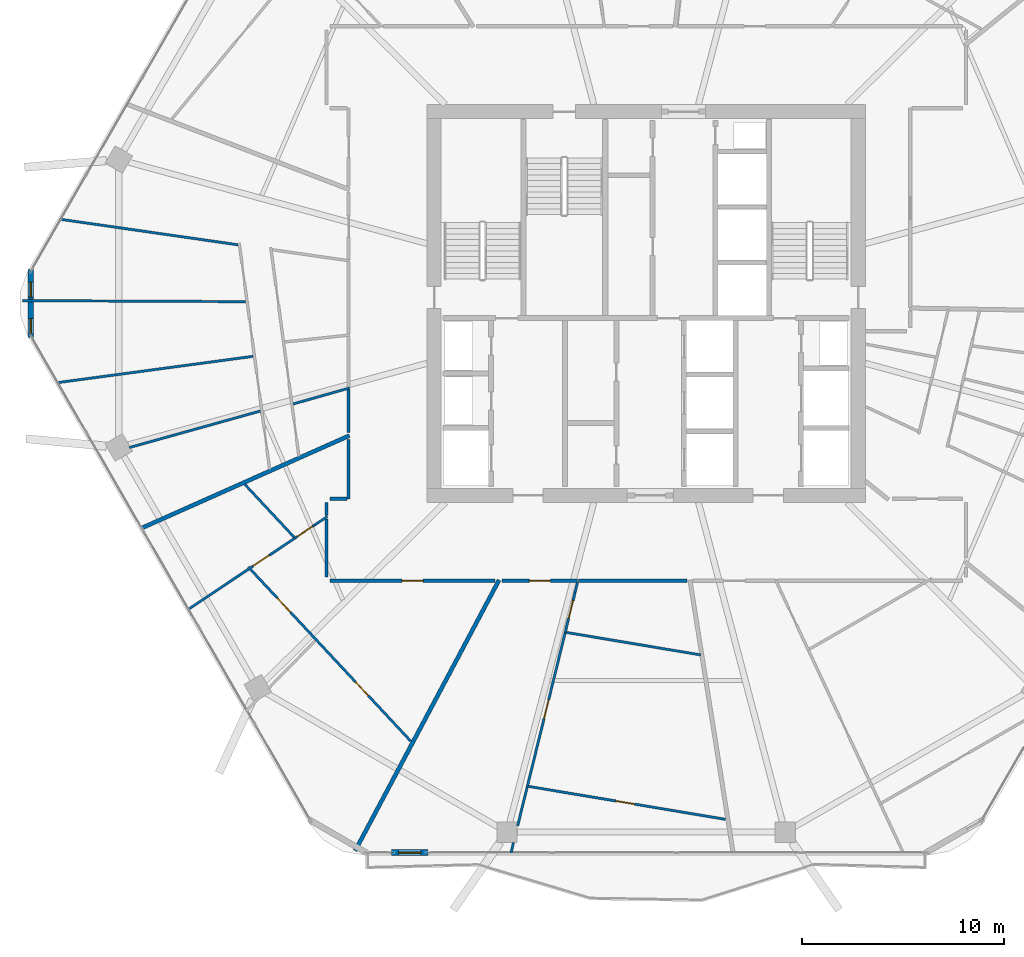
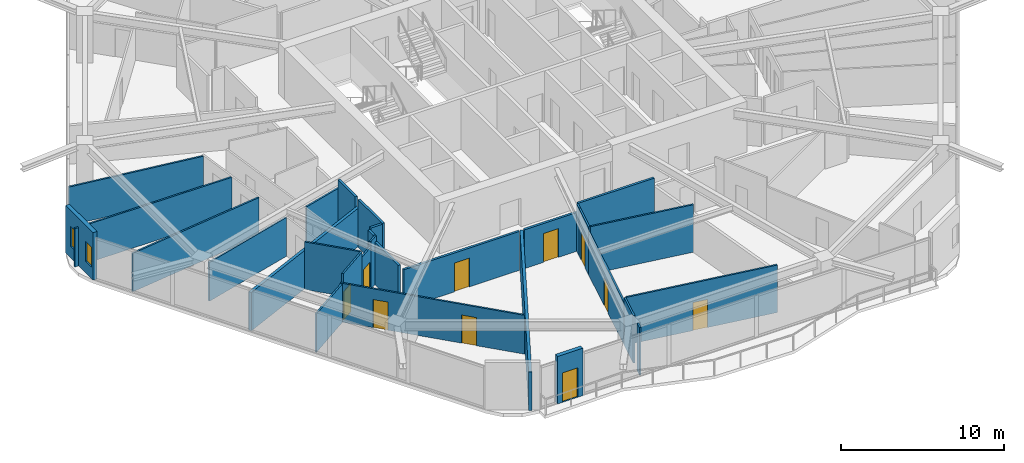
# One storey, part 19 of 27: 30 walls, 10 doors, 2 windows, 12 openings.
"""IFC4 building model written with IfcOpenShell, lengths in metres."""

from ifc_helpers import new_model, si_unit, direction, frame, frame_2d, origin, place, context, subcontext, project, spatial, rectangle, extrude, material, layer, layer_set, type_object, element, fill, save


model = new_model("IFC4")

# Units and contexts
model_context = context("Model", 3, precision=1e-05, world=origin(), true_north=direction((0.0, 1.0)))
body_context = subcontext(model_context, "Body", "Model", "MODEL_VIEW")
ifc_project = project(units=[si_unit("LENGTHUNIT", "METRE"), si_unit("AREAUNIT", "SQUARE_METRE"), si_unit("VOLUMEUNIT", "CUBIC_METRE"), si_unit("PLANEANGLEUNIT", "RADIAN"), si_unit("MASSUNIT", "GRAM", prefix="KILO")], contexts=[model_context])

# Site, building, storey
site_placement = place(None, origin())
site = spatial("IfcSite", under=ifc_project, at=site_placement, CompositionType="ELEMENT")
building_placement = place(site_placement, origin())
building = spatial("IfcBuilding", under=site, at=building_placement, Name="Zuhravey Tower", CompositionType="ELEMENT")
storey_placement = place(building_placement, frame((0.0, 0.0, 173.199951171875)))
storey = spatial("IfcBuildingStorey", under=building, at=storey_placement, Name="L43", CompositionType="ELEMENT", Elevation=173.199951171875)

# Wall, opening, door
ifc_material_1 = material(Name="Gypsum fire-rated stud partition")
ifc_layer_1 = layer(ifc_material_1, 0.159912109375)
ifc_layer_set_1 = layer_set([ifc_layer_1], Name="Gypsum fire-rated stud partition")
wall_type_1 = type_object("IfcWallType", Name="Corridor Fire Partition 160", PredefinedType="PARTITIONING", material=ifc_layer_set_1)
wall_1_placement = place(storey_placement, frame((20.35009765625, 18.27001953125, 0.0), z_axis=(0.0, 0.0, 1.0), x_axis=(1.0, 0.0, 0.0)))
wall_1 = element("IfcWall", 1, at=wall_1_placement, inside=storey, type_object=wall_type_1, Name="L43 IW16 Partition 042", PredefinedType="PARTITIONING", context=body_context, shape_type="SweptSolid", body=[
    extrude(rectangle(XDim=8.17236328125, YDim=0.159912109375, at=frame_2d((4.086181640625, 0.0))), origin(), (0.0, 0.0, 1.0), 2.900146484375),
])
opening_1_placement = place(wall_1_placement, frame((3.561279296875, 0.0, 0.0)))
opening_1 = element("IfcOpeningElement", 2, at=opening_1_placement, cuts=wall_1, Name="Opening APD1", PredefinedType="OPENING", context=body_context, shape_type="SweptSolid", body=[
    extrude(rectangle(XDim=1.050048828125, YDim=2.14990234375, at=frame_2d((0.52490234375, 1.074951171875))), frame((0.0, 0.092041015625, 0.0), z_axis=(0.0, -1.0, 0.0), x_axis=(1.0, 0.0, 0.0)), (0.0, 0.0, 1.0), 0.183837890625),
])
ifc_material_2 = material(Name="Solid-core oak fire-rated leaf")
door_type_1 = type_object("IfcDoorType", Name="Apartment Entrance Fire Door 1050x2150", OperationType="NOTDEFINED", PredefinedType="DOOR", material=ifc_material_2)
door_1_placement = place(opening_1_placement, frame((1.050048828125, 0.0, 0.0), z_axis=(0.0, 0.0, 1.0), x_axis=(-1.0, 0.0, 0.0)))
door_1 = element("IfcDoor", 3, at=door_1_placement, inside=storey, type_object=door_type_1, Name="L43 Door 042.1", OperationType="SINGLE_SWING_RIGHT", OverallHeight=2.14990234375, OverallWidth=1.050048828125, PredefinedType="DOOR", context=body_context, shape_type="SweptSolid", body=[
    extrude(rectangle(XDim=1.050048828125, YDim=2.14990234375, at=frame_2d((0.52490234375, 1.074951171875))), frame((0.0, 0.02490234375, 0.0), z_axis=(0.0, -1.0, 0.0), x_axis=(1.0, 0.0, 0.0)), (0.0, 0.0, 1.0), 0.050048828125),
])
fill(opening_1, door_1)

wall_2_placement = place(storey_placement, frame((28.875244140625, 18.27001953125, 0.0), z_axis=(0.0, 0.0, 1.0), x_axis=(1.0, 0.0, 0.0)))
wall_2 = element("IfcWall", 4, at=wall_2_placement, inside=storey, type_object=wall_type_1, Name="L43 IW16 Partition 046", PredefinedType="PARTITIONING", context=body_context, shape_type="SweptSolid", body=[
    extrude(rectangle(XDim=3.7265625, YDim=0.159912109375, at=frame_2d((1.86328125, 0.0))), origin(), (0.0, 0.0, 1.0), 2.900146484375),
])
opening_2_placement = place(wall_2_placement, frame((1.33837890625, 0.0, 0.0)))
opening_2 = element("IfcOpeningElement", 5, at=opening_2_placement, cuts=wall_2, Name="Opening APD1", PredefinedType="OPENING", context=body_context, shape_type="SweptSolid", body=[
    extrude(rectangle(XDim=1.050048828125, YDim=2.14990234375, at=frame_2d((0.52490234375, 1.074951171875))), frame((0.0, 0.092041015625, 0.0), z_axis=(0.0, -1.0, 0.0), x_axis=(1.0, 0.0, 0.0)), (0.0, 0.0, 1.0), 0.183837890625),
])
door_2_placement = place(opening_2_placement, frame((1.050048828125, 0.0, 0.0), z_axis=(0.0, 0.0, 1.0), x_axis=(-1.0, 0.0, 0.0)))
door_2 = element("IfcDoor", 6, at=door_2_placement, inside=storey, type_object=door_type_1, Name="L43 Door 046.1", OperationType="SINGLE_SWING_RIGHT", OverallHeight=2.14990234375, OverallWidth=1.050048828125, PredefinedType="DOOR", context=body_context, shape_type="SweptSolid", body=[
    extrude(rectangle(XDim=1.050048828125, YDim=2.14990234375, at=frame_2d((0.52490234375, 1.074951171875))), frame((0.0, 0.02490234375, 0.0), z_axis=(0.0, -1.0, 0.0), x_axis=(1.0, 0.0, 0.0)), (0.0, 0.0, 1.0), 0.050048828125),
])
fill(opening_2, door_2)

# Walls
wall_3_placement = place(storey_placement, frame((21.27001953125, 27.734375, 0.0), z_axis=(0.0, 0.0, 1.0), x_axis=(0.0, -1.0, 0.0)))
element("IfcWall", 7, at=wall_3_placement, inside=storey, type_object=wall_type_1, Name="L43 IW16 Partition 113", PredefinedType="PARTITIONING", context=body_context, shape_type="SweptSolid", body=[
    extrude(rectangle(XDim=2.117431640625, YDim=0.159912109375, at=frame_2d((1.05859375, 0.0))), origin(), (0.0, 0.0, 1.0), 3.550048828125),
])
wall_4_placement = place(storey_placement, frame((20.169921875, 21.341064453125, 0.0), z_axis=(0.0, 0.0, 1.0), x_axis=(0.0, -1.0, 0.0)))
element("IfcWall", 8, at=wall_4_placement, inside=storey, type_object=wall_type_1, Name="L43 IW16 Partition 114", PredefinedType="PARTITIONING", context=body_context, shape_type="SweptSolid", body=[
    extrude(rectangle(XDim=2.89111328125, YDim=0.159912109375, at=frame_2d((1.445556640625, 0.0))), origin(), (0.0, 0.0, 1.0), 3.150146484375),
])
wall_5_placement = place(storey_placement, frame((21.27001953125, 25.26513671875, 0.0), z_axis=(0.0, 0.0, 1.0), x_axis=(0.0, -1.0, 0.0)))
element("IfcWall", 9, at=wall_5_placement, inside=storey, type_object=wall_type_1, Name="L43 IW16 Partition 115", PredefinedType="PARTITIONING", context=body_context, shape_type="SweptSolid", body=[
    extrude(rectangle(XDim=2.93505859375, YDim=0.159912109375, at=frame_2d((1.467529296875, 0.0))), origin(), (0.0, 0.0, 1.0), 3.550048828125),
])
wall_6_placement = place(storey_placement, frame((21.181884765625, 22.330078125, 0.0), z_axis=(0.0, 0.0, 1.0), x_axis=(-1.0, 0.0, 0.0)))
element("IfcWall", 10, at=wall_6_placement, inside=storey, type_object=wall_type_1, Name="L43 IW16 Partition 116", PredefinedType="PARTITIONING", context=body_context, shape_type="SweptSolid", body=[
    extrude(rectangle(XDim=0.831787109375, YDim=0.159912109375, at=frame_2d((0.416015625, 0.0))), origin(), (0.0, 0.0, 1.0), 3.550048828125),
])
wall_7_placement = place(storey_placement, frame((20.169921875, 22.14990234375, 0.0), z_axis=(0.0, 0.0, 1.0), x_axis=(0.0, -1.0, 0.0)))
element("IfcWall", 11, at=wall_7_placement, inside=storey, type_object=wall_type_1, Name="L43 IW16 Partition 117", PredefinedType="PARTITIONING", context=body_context, shape_type="SweptSolid", body=[
    extrude(rectangle(XDim=0.6455078125, YDim=0.159912109375, at=frame_2d((0.32275390625, 0.0))), origin(), (0.0, 0.0, 1.0), 3.550048828125),
])
wall_8_placement = place(storey_placement, frame((32.64306640625, 18.27001953125, 0.0), z_axis=(0.0, 0.0, 1.0), x_axis=(1.0, 0.0, 0.0)))
element("IfcWall", 12, at=wall_8_placement, inside=storey, type_object=wall_type_1, Name="L43 IW16 Partition 118", PredefinedType="PARTITIONING", context=body_context, shape_type="SweptSolid", body=[
    extrude(rectangle(XDim=5.388671875, YDim=0.159912109375, at=frame_2d((2.6943359375, 0.0))), origin(), (0.0, 0.0, 1.0), 3.550048828125),
])

# Wall, opening, door
ifc_material_3 = material(Name="Precast concrete C40/50", Category="concrete")
ifc_layer_2 = layer(ifc_material_3, 0.280029296875)
ifc_layer_set_2 = layer_set([ifc_layer_2], Name="Precast concrete C40/50")
wall_type_2 = type_object("IfcWallType", Name="Crown Architectural Wall 280", PredefinedType="SOLIDWALL", material=ifc_layer_set_2)
wall_9_placement = place(storey_placement, frame((25.193115234375, 4.81689453125, 0.0), z_axis=(0.0, 0.0, 1.0), x_axis=(-1.0, 0.0, 0.0)))
wall_9 = element("IfcWall", 13, at=wall_9_placement, inside=storey, type_object=wall_type_2, Name="L43 Face 5 Facade Pier EW28-1", PredefinedType="SOLIDWALL", context=body_context, shape_type="SweptSolid", body=[
    extrude(rectangle(XDim=1.789794921875, YDim=0.280029296875, at=frame_2d((0.89501953125, 0.0))), origin(), (0.0, 0.0, 1.0), 3.550048828125),
])
opening_3_placement = place(wall_9_placement, frame((0.344970703125, 0.0, 0.0)))
opening_3 = element("IfcOpeningElement", 14, at=opening_3_placement, cuts=wall_9, Name="Opening BLD1", PredefinedType="OPENING", context=body_context, shape_type="SweptSolid", body=[
    extrude(rectangle(XDim=1.10009765625, YDim=2.199951171875, at=frame_2d((0.550048828125, 1.10009765625))), frame((0.0, 0.152099609375, 0.0), z_axis=(0.0, -1.0, 0.0), x_axis=(1.0, 0.0, 0.0)), (0.0, 0.0, 1.0), 0.303955078125),
])
ifc_material_4 = material(Name="Thermally broken aluminium and low-E glass", Category="aluminium")
door_type_2 = type_object("IfcDoorType", Name="Balcony & Sky-Tray Glazed Door 1100x2200", OperationType="NOTDEFINED", PredefinedType="DOOR", material=ifc_material_4)
door_3_placement = place(opening_3_placement, frame((1.10009765625, 0.0, 0.0), z_axis=(0.0, 0.0, 1.0), x_axis=(-1.0, 0.0, 0.0)))
door_3 = element("IfcDoor", 15, at=door_3_placement, inside=storey, type_object=door_type_2, Name="L43 Face 5 Wave Balcony Door", OperationType="SINGLE_SWING_LEFT", OverallHeight=2.199951171875, OverallWidth=1.10009765625, PredefinedType="DOOR", context=body_context, shape_type="SweptSolid", body=[
    extrude(rectangle(XDim=1.10009765625, YDim=2.199951171875, at=frame_2d((0.550048828125, 1.10009765625))), frame((0.0, 0.02490234375, 0.0), z_axis=(0.0, -1.0, 0.0), x_axis=(1.0, 0.0, 0.0)), (0.0, 0.0, 1.0), 0.050048828125),
])
fill(opening_3, door_3)

# Wall, openings, windows
wall_10_placement = place(storey_placement, frame((5.5283203125, 30.3173828125, 0.0), z_axis=(0.0, 0.0, 1.0), x_axis=(0.0, 1.0, 0.0)))
wall_10 = element("IfcWall", 16, at=wall_10_placement, inside=storey, type_object=wall_type_2, Name="L43 Rounded Corner Closure Wall EW28-06", PredefinedType="SOLIDWALL", context=body_context, shape_type="SweptSolid", body=[
    extrude(rectangle(XDim=3.365234375, YDim=0.280029296875, at=frame_2d((1.6826171875, 0.0))), origin(), (0.0, 0.0, 1.0), 3.550048828125),
])
opening_4_placement = place(wall_10_placement, frame((1.994384765625, 0.0, 0.85009765625)))
opening_4 = element("IfcOpeningElement", 17, at=opening_4_placement, cuts=wall_10, Name="Opening WN5", PredefinedType="OPENING", context=body_context, shape_type="SweptSolid", body=[
    extrude(rectangle(XDim=0.75, YDim=1.5, at=frame_2d((0.375, 0.75))), frame((0.0, 0.152099609375, 0.0), z_axis=(0.0, -1.0, 0.0), x_axis=(1.0, 0.0, 0.0)), (0.0, 0.0, 1.0), 0.303955078125),
])
opening_5_placement = place(wall_10_placement, frame((0.17919921875, 0.0, 0.85009765625)))
opening_5 = element("IfcOpeningElement", 18, at=opening_5_placement, cuts=wall_10, Name="Opening WN5", PredefinedType="OPENING", context=body_context, shape_type="SweptSolid", body=[
    extrude(rectangle(XDim=0.75, YDim=1.5, at=frame_2d((0.375, 0.75))), frame((0.0, 0.152099609375, 0.0), z_axis=(0.0, -1.0, 0.0), x_axis=(1.0, 0.0, 0.0)), (0.0, 0.0, 1.0), 0.303955078125),
])
ifc_material_5 = material(Name="Thermally broken aluminium and triple low-E glass", Category="aluminium")
window_type = type_object("IfcWindowType", Name="Residential Corner Casement Window 750x1500", PartitioningType="SINGLE_PANEL", PredefinedType="WINDOW", material=ifc_material_5)
window_1_placement = place(opening_4_placement, origin())
window_1 = element("IfcWindow", 19, at=window_1_placement, inside=storey, type_object=window_type, Name="L43 Corner Casement Window WN5-06.1", OverallHeight=1.5, OverallWidth=0.75, PartitioningType="SINGLE_PANEL", PredefinedType="WINDOW", context=body_context, shape_type="SweptSolid", body=[
    extrude(rectangle(XDim=0.75, YDim=1.5, at=frame_2d((0.375, 0.75))), frame((0.0, 0.030029296875, 0.0), z_axis=(0.0, -1.0, 0.0), x_axis=(1.0, 0.0, 0.0)), (0.0, 0.0, 1.0), 0.06005859375),
])
fill(opening_4, window_1)
window_2_placement = place(opening_5_placement, origin())
window_2 = element("IfcWindow", 20, at=window_2_placement, inside=storey, type_object=window_type, Name="L43 Corner Casement Window WN5-06.2", OverallHeight=1.5, OverallWidth=0.75, PartitioningType="SINGLE_PANEL", PredefinedType="WINDOW", context=body_context, shape_type="SweptSolid", body=[
    extrude(rectangle(XDim=0.75, YDim=1.5, at=frame_2d((0.375, 0.75))), frame((0.0, 0.030029296875, 0.0), z_axis=(0.0, -1.0, 0.0), x_axis=(1.0, 0.0, 0.0)), (0.0, 0.0, 1.0), 0.06005859375),
])
fill(opening_5, window_2)

# Walls
ifc_material_6 = material(Name="Gypsum double-stud party assembly")
ifc_layer_3 = layer(ifc_material_6, 0.199951171875)
ifc_layer_set_3 = layer_set([ifc_layer_3], Name="Gypsum double-stud party assembly")
wall_type_3 = type_object("IfcWallType", Name="Inter-Tenancy Party Wall 200", PredefinedType="PARTITIONING", material=ifc_layer_set_3)
wall_11_placement = place(storey_placement, frame((21.31005859375, 25.459716796875, 0.0), z_axis=(0.0, 0.0, 1.0), x_axis=(-0.913543837416, -0.406740282146, 0.0)))
element("IfcWall", 21, at=wall_11_placement, inside=storey, type_object=wall_type_3, Name="L43 IW20 Partition 081", PredefinedType="PARTITIONING", context=body_context, shape_type="SweptSolid", body=[
    extrude(rectangle(XDim=11.252685546875, YDim=0.199951171875, at=frame_2d((5.62646484375, 0.0))), origin(), (0.0, 0.0, 1.0), 2.8701171875),
])
wall_12_placement = place(storey_placement, frame((28.720947265625, 18.31005859375, 0.0), z_axis=(0.0, 0.0, 1.0), x_axis=(-0.469463317487, -0.882951976913, 0.0)))
element("IfcWall", 22, at=wall_12_placement, inside=storey, type_object=wall_type_3, Name="L43 IW20 Partition 086", PredefinedType="PARTITIONING", context=body_context, shape_type="SweptSolid", body=[
    extrude(rectangle(XDim=15.178466796875, YDim=0.199951171875, at=frame_2d((7.58935546875, 0.0))), origin(), (0.0, 0.0, 1.0), 2.8701171875),
])

# Wall, openings, doors
ifc_material_7 = material(Name="Gypsum metal-stud partition")
ifc_layer_4 = layer(ifc_material_7, 0.1201171875)
ifc_layer_set_4 = layer_set([ifc_layer_4], Name="Gypsum metal-stud partition")
wall_type_4 = type_object("IfcWallType", Name="Unit Internal Partition 120", PredefinedType="PARTITIONING", material=ifc_layer_set_4)
wall_13_placement = place(storey_placement, frame((16.301513671875, 18.9580078125, 0.0), z_axis=(0.0, 0.0, 1.0), x_axis=(0.681998933698, -0.731353166695, 0.0)))
wall_13 = element("IfcWall", 23, at=wall_13_placement, inside=storey, type_object=wall_type_4, Name="L43 IW12 Partition 038", PredefinedType="PARTITIONING", context=body_context, shape_type="SweptSolid", body=[
    extrude(rectangle(XDim=11.7978515625, YDim=0.1201171875, at=frame_2d((5.89892578125, 0.0))), origin(), (0.0, 0.0, 1.0), 2.900146484375),
])
opening_6_placement = place(wall_13_placement, frame((2.1103515625, 0.0, 0.0)))
opening_6 = element("IfcOpeningElement", 24, at=opening_6_placement, cuts=wall_13, Name="Opening IND1", PredefinedType="OPENING", context=body_context, shape_type="SweptSolid", body=[
    extrude(rectangle(XDim=0.949951171875, YDim=2.10009765625, at=frame_2d((0.47509765625, 1.050048828125))), frame((0.0, 0.072021484375, 0.0), z_axis=(0.0, -1.0, 0.0), x_axis=(1.0, 0.0, 0.0)), (0.0, 0.0, 1.0), 0.14404296875),
])
opening_7_placement = place(wall_13_placement, frame((7.769287109375, 0.0, 0.0)))
opening_7 = element("IfcOpeningElement", 25, at=opening_7_placement, cuts=wall_13, Name="Opening IND1", PredefinedType="OPENING", context=body_context, shape_type="SweptSolid", body=[
    extrude(rectangle(XDim=0.949951171875, YDim=2.10009765625, at=frame_2d((0.47509765625, 1.050048828125))), frame((0.0, 0.072021484375, 0.0), z_axis=(0.0, -1.0, 0.0), x_axis=(1.0, 0.0, 0.0)), (0.0, 0.0, 1.0), 0.14404296875),
])
ifc_material_8 = material(Name="Painted engineered timber leaf", Category="wood")
door_type_3 = type_object("IfcDoorType", Name="Internal Room & Bedroom Door 950x2100", OperationType="NOTDEFINED", PredefinedType="DOOR", material=ifc_material_8)
door_4_placement = place(opening_6_placement, frame((0.949951171875, 0.0, 0.0), z_axis=(0.0, 0.0, 1.0), x_axis=(-1.0, 0.0, 0.0)))
door_4 = element("IfcDoor", 26, at=door_4_placement, inside=storey, type_object=door_type_3, Name="Apartment L43-05 Family Study Door", OperationType="SINGLE_SWING_RIGHT", OverallHeight=2.10009765625, OverallWidth=0.949951171875, PredefinedType="DOOR", context=body_context, shape_type="SweptSolid", body=[
    extrude(rectangle(XDim=0.949951171875, YDim=2.10009765625, at=frame_2d((0.47509765625, 1.050048828125))), frame((0.0, 0.02490234375, 0.0), z_axis=(0.0, -1.0, 0.0), x_axis=(1.0, 0.0, 0.0)), (0.0, 0.0, 1.0), 0.050048828125),
])
fill(opening_6, door_4)
door_5_placement = place(opening_7_placement, frame((0.949951171875, 0.0, 0.0), z_axis=(0.0, 0.0, 1.0), x_axis=(-1.0, 0.0, 0.0)))
door_5 = element("IfcDoor", 27, at=door_5_placement, inside=storey, type_object=door_type_3, Name="Apartment L43-05 Dining Room Door", OperationType="SINGLE_SWING_LEFT", OverallHeight=2.10009765625, OverallWidth=0.949951171875, PredefinedType="DOOR", context=body_context, shape_type="SweptSolid", body=[
    extrude(rectangle(XDim=0.949951171875, YDim=2.10009765625, at=frame_2d((0.47509765625, 1.050048828125))), frame((0.0, 0.02490234375, 0.0), z_axis=(0.0, -1.0, 0.0), x_axis=(1.0, 0.0, 0.0)), (0.0, 0.0, 1.0), 0.050048828125),
])
fill(opening_7, door_5)

# Wall, opening, door
wall_14_placement = place(storey_placement, frame((19.60009765625, 21.0419921875, 0.0), z_axis=(0.0, 0.0, 1.0), x_axis=(-0.831460345356, -0.555584101735, 0.0)))
wall_14 = element("IfcWall", 28, at=wall_14_placement, inside=storey, type_object=wall_type_4, Name="L43 IW12 Partition 039", PredefinedType="PARTITIONING", context=body_context, shape_type="SweptSolid", body=[
    extrude(rectangle(XDim=1.210693359375, YDim=0.1201171875, at=frame_2d((0.60546875, 0.0))), origin(), (0.0, 0.0, 1.0), 3.150146484375),
])
opening_8_placement = place(wall_14_placement, frame((0.139892578125, 0.0, 0.0)))
opening_8 = element("IfcOpeningElement", 29, at=opening_8_placement, cuts=wall_14, Name="Opening WCD1", PredefinedType="OPENING", context=body_context, shape_type="SweptSolid", body=[
    extrude(rectangle(XDim=0.89990234375, YDim=2.10009765625, at=frame_2d((0.449951171875, 1.050048828125))), frame((0.0, 0.072021484375, 0.0), z_axis=(0.0, -1.0, 0.0), x_axis=(1.0, 0.0, 0.0)), (0.0, 0.0, 1.0), 0.14404296875),
])
ifc_material_9 = material(Name="Moisture-resistant timber leaf", Category="wood")
door_type_4 = type_object("IfcDoorType", Name="Bathroom & WC Internal Door 900x2100", OperationType="NOTDEFINED", PredefinedType="DOOR", material=ifc_material_9)
door_6_placement = place(opening_8_placement, frame((0.89990234375, 0.0, 0.0), z_axis=(0.0, 0.0, 1.0), x_axis=(-1.0, 0.0, 0.0)))
door_6 = element("IfcDoor", 30, at=door_6_placement, inside=storey, type_object=door_type_4, Name="Apartment L43-05 Bathroom Door", OperationType="SINGLE_SWING_RIGHT", OverallHeight=2.10009765625, OverallWidth=0.89990234375, PredefinedType="DOOR", context=body_context, shape_type="SweptSolid", body=[
    extrude(rectangle(XDim=0.89990234375, YDim=2.10009765625, at=frame_2d((0.449951171875, 1.050048828125))), frame((0.0, 0.02490234375, 0.0), z_axis=(0.0, -1.0, 0.0), x_axis=(1.0, 0.0, 0.0)), (0.0, 0.0, 1.0), 0.050048828125),
])
fill(opening_8, door_6)

wall_15_placement = place(storey_placement, frame((18.593505859375, 20.369384765625, 0.0), z_axis=(0.0, 0.0, 1.0), x_axis=(-0.831487480853, -0.555543489913, 0.0)))
wall_15 = element("IfcWall", 31, at=wall_15_placement, inside=storey, type_object=wall_type_4, Name="L43 IW12 Partition 040", PredefinedType="PARTITIONING", context=body_context, shape_type="SweptSolid", body=[
    extrude(rectangle(XDim=2.604736328125, YDim=0.1201171875, at=frame_2d((1.30224609375, 0.0))), origin(), (0.0, 0.0, 1.0), 3.550048828125),
])
opening_9_placement = place(wall_15_placement, frame((1.510498046875, 0.0, 0.0)))
opening_9 = element("IfcOpeningElement", 32, at=opening_9_placement, cuts=wall_15, Name="Opening IND1", PredefinedType="OPENING", context=body_context, shape_type="SweptSolid", body=[
    extrude(rectangle(XDim=0.949951171875, YDim=2.10009765625, at=frame_2d((0.47509765625, 1.050048828125))), frame((0.0, 0.072021484375, 0.0), z_axis=(0.0, -1.0, 0.0), x_axis=(1.0, 0.0, 0.0)), (0.0, 0.0, 1.0), 0.14404296875),
])
door_7_placement = place(opening_9_placement, frame((0.949951171875, 0.0, 0.0), z_axis=(0.0, 0.0, 1.0), x_axis=(-1.0, 0.0, 0.0)))
door_7 = element("IfcDoor", 33, at=door_7_placement, inside=storey, type_object=door_type_3, Name="Apartment L43-05 Bedroom 1 Door", OperationType="SINGLE_SWING_LEFT", OverallHeight=2.10009765625, OverallWidth=0.949951171875, PredefinedType="DOOR", context=body_context, shape_type="SweptSolid", body=[
    extrude(rectangle(XDim=0.949951171875, YDim=2.10009765625, at=frame_2d((0.47509765625, 1.050048828125))), frame((0.0, 0.02490234375, 0.0), z_axis=(0.0, -1.0, 0.0), x_axis=(1.0, 0.0, 0.0)), (0.0, 0.0, 1.0), 0.050048828125),
])
fill(opening_9, door_7)

# Wall
wall_16_placement = place(storey_placement, frame((16.313232421875, 18.845703125, 0.0), z_axis=(0.0, 0.0, 1.0), x_axis=(-0.831481603923, -0.555552285872, 0.0)))
element("IfcWall", 34, at=wall_16_placement, inside=storey, type_object=wall_type_4, Name="L43 IW12 Partition 041", PredefinedType="PARTITIONING", context=body_context, shape_type="SweptSolid", body=[
    extrude(rectangle(XDim=3.5693359375, YDim=0.1201171875, at=frame_2d((1.78466796875, 0.0))), origin(), (0.0, 0.0, 1.0), 2.8701171875),
])

# Wall, opening, door
wall_17_placement = place(storey_placement, frame((32.482421875, 17.699951171875, 0.0), z_axis=(0.0, 0.0, 1.0), x_axis=(-0.238993265464, -0.971021224826, 0.0)))
wall_17 = element("IfcWall", 35, at=wall_17_placement, inside=storey, type_object=wall_type_4, Name="L43 IW12 Partition 043", PredefinedType="PARTITIONING", context=body_context, shape_type="SweptSolid", body=[
    extrude(rectangle(XDim=2.060546875, YDim=0.1201171875, at=frame_2d((1.0302734375, 0.0))), origin(), (0.0, 0.0, 1.0), 3.550048828125),
])
opening_10_placement = place(wall_17_placement, frame((0.415283203125, 0.0, 0.0)))
opening_10 = element("IfcOpeningElement", 36, at=opening_10_placement, cuts=wall_17, Name="Opening WCD1", PredefinedType="OPENING", context=body_context, shape_type="SweptSolid", body=[
    extrude(rectangle(XDim=0.89990234375, YDim=2.10009765625, at=frame_2d((0.449951171875, 1.050048828125))), frame((0.0, 0.072021484375, 0.0), z_axis=(0.0, -1.0, 0.0), x_axis=(1.0, 0.0, 0.0)), (0.0, 0.0, 1.0), 0.14404296875),
])
door_8_placement = place(opening_10_placement, origin())
door_8 = element("IfcDoor", 37, at=door_8_placement, inside=storey, type_object=door_type_4, Name="Apartment L43-06 Bathroom Door", OperationType="SINGLE_SWING_LEFT", OverallHeight=2.10009765625, OverallWidth=0.89990234375, PredefinedType="DOOR", context=body_context, shape_type="SweptSolid", body=[
    extrude(rectangle(XDim=0.89990234375, YDim=2.10009765625, at=frame_2d((0.449951171875, 1.050048828125))), frame((0.0, 0.02490234375, 0.0), z_axis=(0.0, -1.0, 0.0), x_axis=(1.0, 0.0, 0.0)), (0.0, 0.0, 1.0), 0.050048828125),
])
fill(opening_10, door_8)

wall_18_placement = place(storey_placement, frame((31.989990234375, 15.69921875, 0.0), z_axis=(0.0, 0.0, 1.0), x_axis=(-0.238859295783, -0.971054188405, 0.0)))
wall_18 = element("IfcWall", 38, at=wall_18_placement, inside=storey, type_object=wall_type_4, Name="L43 IW12 Partition 044", PredefinedType="PARTITIONING", context=body_context, shape_type="SweptSolid", body=[
    extrude(rectangle(XDim=7.84765625, YDim=0.1201171875, at=frame_2d((3.923828125, 0.0))), origin(), (0.0, 0.0, 1.0), 3.150146484375),
])
opening_11_placement = place(wall_18_placement, frame((3.423828125, 0.0, 0.0)))
opening_11 = element("IfcOpeningElement", 39, at=opening_11_placement, cuts=wall_18, Name="Opening IND1", PredefinedType="OPENING", context=body_context, shape_type="SweptSolid", body=[
    extrude(rectangle(XDim=0.949951171875, YDim=2.10009765625, at=frame_2d((0.47509765625, 1.050048828125))), frame((0.0, 0.072021484375, 0.0), z_axis=(0.0, -1.0, 0.0), x_axis=(1.0, 0.0, 0.0)), (0.0, 0.0, 1.0), 0.14404296875),
])
door_9_placement = place(opening_11_placement, origin())
door_9 = element("IfcDoor", 40, at=door_9_placement, inside=storey, type_object=door_type_3, Name="Apartment L43-06 Home Office Door", OperationType="SINGLE_SWING_RIGHT", OverallHeight=2.10009765625, OverallWidth=0.949951171875, PredefinedType="DOOR", context=body_context, shape_type="SweptSolid", body=[
    extrude(rectangle(XDim=0.949951171875, YDim=2.10009765625, at=frame_2d((0.47509765625, 1.050048828125))), frame((0.0, 0.02490234375, 0.0), z_axis=(0.0, -1.0, 0.0), x_axis=(1.0, 0.0, 0.0)), (0.0, 0.0, 1.0), 0.050048828125),
])
fill(opening_11, door_9)

wall_19_placement = place(storey_placement, frame((30.188720703125, 8.091552734375, 0.0), z_axis=(0.0, 0.0, 1.0), x_axis=(0.986287356635, -0.165037117469, 0.0)))
wall_19 = element("IfcWall", 41, at=wall_19_placement, inside=storey, type_object=wall_type_4, Name="L43 IW12 Partition 045", PredefinedType="PARTITIONING", context=body_context, shape_type="SweptSolid", body=[
    extrude(rectangle(XDim=9.864013671875, YDim=0.1201171875, at=frame_2d((4.93212890625, 0.0))), origin(), (0.0, 0.0, 1.0), 3.550048828125),
])
opening_12_placement = place(wall_19_placement, frame((4.372802734375, 0.0, 0.0)))
opening_12 = element("IfcOpeningElement", 42, at=opening_12_placement, cuts=wall_19, Name="Opening IND1", PredefinedType="OPENING", context=body_context, shape_type="SweptSolid", body=[
    extrude(rectangle(XDim=0.949951171875, YDim=2.10009765625, at=frame_2d((0.47509765625, 1.050048828125))), frame((0.0, 0.072021484375, 0.0), z_axis=(0.0, -1.0, 0.0), x_axis=(1.0, 0.0, 0.0)), (0.0, 0.0, 1.0), 0.14404296875),
])
door_10_placement = place(opening_12_placement, frame((0.949951171875, 0.0, 0.0), z_axis=(0.0, 0.0, 1.0), x_axis=(-1.0, 0.0, 0.0)))
door_10 = element("IfcDoor", 43, at=door_10_placement, inside=storey, type_object=door_type_3, Name="Apartment L43-06 Bedroom 1 Door", OperationType="SINGLE_SWING_LEFT", OverallHeight=2.10009765625, OverallWidth=0.949951171875, PredefinedType="DOOR", context=body_context, shape_type="SweptSolid", body=[
    extrude(rectangle(XDim=0.949951171875, YDim=2.10009765625, at=frame_2d((0.47509765625, 1.050048828125))), frame((0.0, 0.02490234375, 0.0), z_axis=(0.0, -1.0, 0.0), x_axis=(1.0, 0.0, 0.0)), (0.0, 0.0, 1.0), 0.050048828125),
])
fill(opening_12, door_10)

# Walls
wall_20_placement = place(storey_placement, frame((21.320068359375, 27.819091796875, 0.0), z_axis=(0.0, 0.0, 1.0), x_axis=(-0.961771119413, -0.273854548737, 0.0)))
element("IfcWall", 44, at=wall_20_placement, inside=storey, type_object=wall_type_4, Name="L43 IW12 Partition 075", PredefinedType="PARTITIONING", context=body_context, shape_type="SweptSolid", body=[
    extrude(rectangle(XDim=2.90283203125, YDim=0.1201171875, at=frame_2d((1.451416015625, 0.0))), origin(), (0.0, 0.0, 1.0), 2.900146484375),
])
wall_21_placement = place(storey_placement, frame((16.17626953125, 32.08984375, 0.0), z_axis=(0.0, 0.0, 1.0), x_axis=(-0.999989631639, 0.004553747245, 0.0)))
element("IfcWall", 45, at=wall_21_placement, inside=storey, type_object=wall_type_4, Name="L43 IW12 Partition 076", PredefinedType="PARTITIONING", context=body_context, shape_type="SweptSolid", body=[
    extrude(rectangle(XDim=11.044189453125, YDim=0.1201171875, at=frame_2d((5.52197265625, 0.0))), origin(), (0.0, 0.0, 1.0), 2.8701171875),
])
wall_22_placement = place(storey_placement, frame((16.540283203125, 29.3828125, 0.0), z_axis=(0.0, 0.0, 1.0), x_axis=(-0.991077690838, -0.133285448281, 0.0)))
element("IfcWall", 46, at=wall_22_placement, inside=storey, type_object=wall_type_4, Name="L43 IW12 Partition 077", PredefinedType="PARTITIONING", context=body_context, shape_type="SweptSolid", body=[
    extrude(rectangle(XDim=9.764892578125, YDim=0.1201171875, at=frame_2d((4.88232421875, 0.0))), origin(), (0.0, 0.0, 1.0), 2.8701171875),
])
wall_23_placement = place(storey_placement, frame((16.904296875, 26.675537109375, 0.0), z_axis=(0.0, 0.0, 1.0), x_axis=(-0.963259527587, -0.26857230407, 0.0)))
element("IfcWall", 47, at=wall_23_placement, inside=storey, type_object=wall_type_4, Name="L43 IW12 Partition 078", PredefinedType="PARTITIONING", context=body_context, shape_type="SweptSolid", body=[
    extrude(rectangle(XDim=6.739501953125, YDim=0.1201171875, at=frame_2d((3.36962890625, 0.0))), origin(), (0.0, 0.0, 1.0), 2.900146484375),
])
wall_24_placement = place(storey_placement, frame((15.7978515625, 34.904052734375, 0.0), z_axis=(0.0, 0.0, 1.0), x_axis=(-0.989827080259, 0.142275616979, 0.0)))
element("IfcWall", 48, at=wall_24_placement, inside=storey, type_object=wall_type_4, Name="L43 IW12 Partition 080", PredefinedType="PARTITIONING", context=body_context, shape_type="SweptSolid", body=[
    extrude(rectangle(XDim=8.8818359375, YDim=0.1201171875, at=frame_2d((4.44091796875, 0.0))), origin(), (0.0, 0.0, 1.0), 2.8701171875),
])
wall_25_placement = place(storey_placement, frame((20.215087890625, 21.452880859375, 0.0), z_axis=(0.0, 0.0, 1.0), x_axis=(-0.831491262241, -0.555537830231, 0.0)))
element("IfcWall", 49, at=wall_25_placement, inside=storey, type_object=wall_type_4, Name="L43 IW12 Partition 084", PredefinedType="PARTITIONING", context=body_context, shape_type="SweptSolid", body=[
    extrude(rectangle(XDim=0.739501953125, YDim=0.1201171875, at=frame_2d((0.36962890625, 0.0))), origin(), (0.0, 0.0, 1.0), 3.550048828125),
])
wall_26_placement = place(storey_placement, frame((16.138427734375, 23.038818359375, 0.0), z_axis=(0.0, 0.0, 1.0), x_axis=(0.682000707563, -0.731351512532, 0.0)))
element("IfcWall", 50, at=wall_26_placement, inside=storey, type_object=wall_type_4, Name="L43 IW12 Partition 085", PredefinedType="PARTITIONING", context=body_context, shape_type="SweptSolid", body=[
    extrude(rectangle(XDim=3.561767578125, YDim=0.1201171875, at=frame_2d((1.78076171875, 0.0))), origin(), (0.0, 0.0, 1.0), 3.550048828125),
])
wall_27_placement = place(storey_placement, frame((32.600830078125, 18.181884765625, 0.0), z_axis=(0.0, 0.0, 1.0), x_axis=(-0.238597992299, -0.971118426388, 0.0)))
element("IfcWall", 51, at=wall_27_placement, inside=storey, type_object=wall_type_4, Name="L43 IW12 Partition 087", PredefinedType="PARTITIONING", context=body_context, shape_type="SweptSolid", body=[
    extrude(rectangle(XDim=0.496337890625, YDim=0.1201171875, at=frame_2d((0.248046875, 0.0))), origin(), (0.0, 0.0, 1.0), 3.550048828125),
])
wall_28_placement = place(storey_placement, frame((30.115478515625, 8.07861328125, 0.0), z_axis=(0.0, 0.0, 1.0), x_axis=(-0.238912739116, -0.971041040887, 0.0)))
element("IfcWall", 52, at=wall_28_placement, inside=storey, type_object=wall_type_4, Name="L43 IW12 Partition 088", PredefinedType="PARTITIONING", context=body_context, shape_type="SweptSolid", body=[
    extrude(rectangle(XDim=1.998779296875, YDim=0.1201171875, at=frame_2d((0.99951171875, 0.0))), origin(), (0.0, 0.0, 1.0), 3.550048828125),
])
wall_29_placement = place(storey_placement, frame((29.43359375, 5.306884765625, 0.0), z_axis=(0.0, 0.0, 1.0), x_axis=(-0.238810360324, -0.97106622421, 0.0)))
element("IfcWall", 53, at=wall_29_placement, inside=storey, type_object=wall_type_4, Name="L43 IW12 Partition 089", PredefinedType="PARTITIONING", context=body_context, shape_type="SweptSolid", body=[
    extrude(rectangle(XDim=0.509033203125, YDim=0.1201171875, at=frame_2d((0.25439453125, 0.0))), origin(), (0.0, 0.0, 1.0), 3.550048828125),
])
wall_30_placement = place(storey_placement, frame((32.063232421875, 15.71240234375, 0.0), z_axis=(0.0, 0.0, 1.0), x_axis=(0.986279965102, -0.165081284339, 0.0)))
element("IfcWall", 54, at=wall_30_placement, inside=storey, type_object=wall_type_4, Name="L43 IW12 Partition 090", PredefinedType="PARTITIONING", context=body_context, shape_type="SweptSolid", body=[
    extrude(rectangle(XDim=6.73046875, YDim=0.1201171875, at=frame_2d((3.365234375, 0.0))), origin(), (0.0, 0.0, 1.0), 3.550048828125),
])

save(model, "model.ifc")
